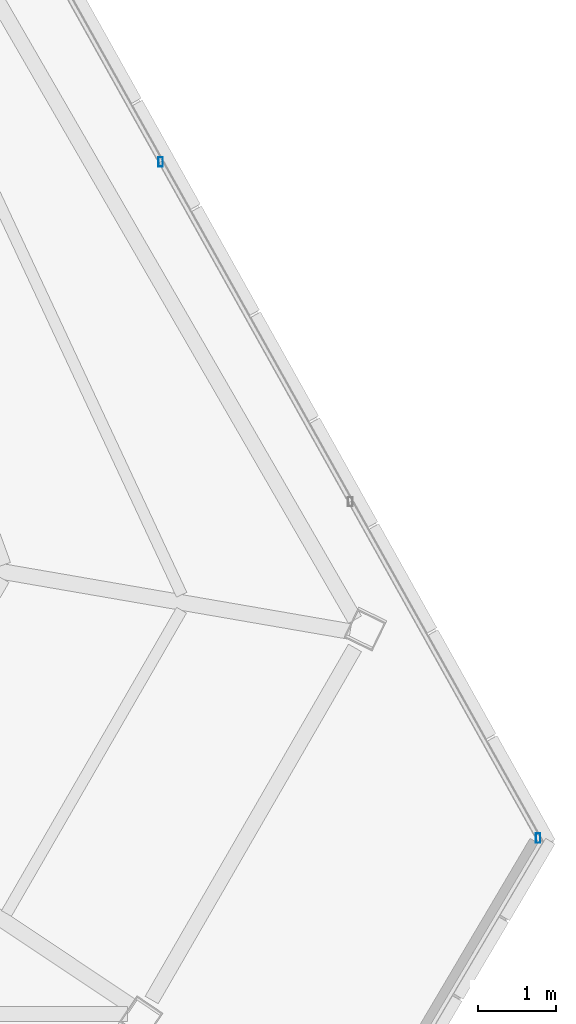
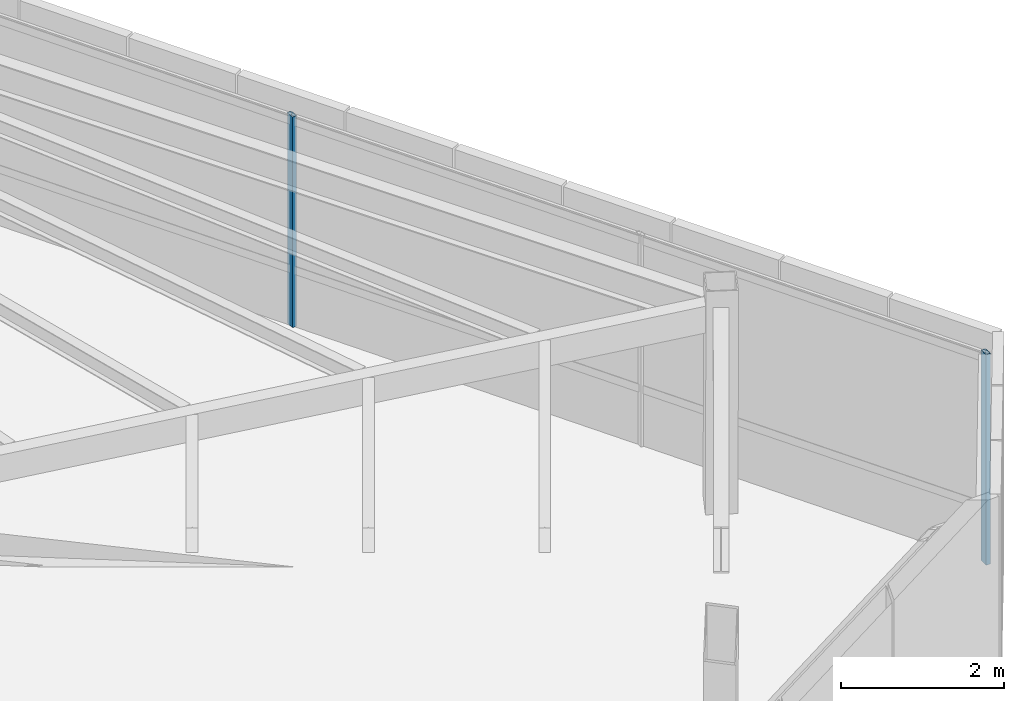
# One storey, part 27 of 44: 2 members, 1 element without a shape of its own.
"""IFC4 building model written with IfcOpenShell, lengths in metres."""

from ifc_helpers import new_model, si_unit, direction, frame, origin, origin_2d, place, context, subcontext, project, spatial, hollow_rectangle, extrude, source, transform, mapped, material, material_profile, profile_set, type_object, type_shapes, element, aggregate, save


model = new_model("IFC4")

# Units and contexts
model_context = context("Model", 3, precision=1e-05, world=origin(), true_north=direction((0.0, 1.0)))
body_context = subcontext(model_context, "Body", "Model", "MODEL_VIEW")
ifc_project = project(units=[si_unit("LENGTHUNIT", "METRE"), si_unit("AREAUNIT", "SQUARE_METRE"), si_unit("VOLUMEUNIT", "CUBIC_METRE"), si_unit("PLANEANGLEUNIT", "RADIAN"), si_unit("MASSUNIT", "GRAM", prefix="KILO")], contexts=[model_context])

# Site, building, storey
site_placement = place(None, origin())
site = spatial("IfcSite", under=ifc_project, at=site_placement, CompositionType="ELEMENT")
building_placement = place(site_placement, origin())
building = spatial("IfcBuilding", under=site, at=building_placement, Name="Caelisora Broadcast Tower", CompositionType="ELEMENT")
storey_placement = place(building_placement, frame((0.0, 0.0, 296.60009765625)))
storey = spatial("IfcBuildingStorey", under=building, at=storey_placement, Name="L78", CompositionType="ELEMENT", Elevation=296.60009765625)

# Curtain wall, members
ifc_material_1 = material(Name="Unitised Aluminium Insulated Shadow-Box Spandrel Curtain Wall", Category="aluminium")
curtain_wall_type = type_object("IfcCurtainWallType", Name="CW-SP3", PredefinedType="NOTDEFINED", material=ifc_material_1)
curtain_wall_placement = place(storey_placement, origin())
curtain_wall = element("IfcCurtainWall", 1, at=curtain_wall_placement, inside=storey, type_object=curtain_wall_type, Name="L78 curtain wall CW-SP3", PredefinedType="NOTDEFINED")
ifc_material_2 = material(Name="Aluminium 6063-T6 Anodised Terracotta Bronze", Category="aluminium")
ifc_material_profile = material_profile(ifc_material_2, hollow_rectangle(XDim=0.06005859375, YDim=0.1201171875, WallThickness=0.0029296875, at=origin_2d()), Name="Aluminium 6063-T6 Anodised Terracotta Bronze")
ifc_profile_set = profile_set([ifc_material_profile], Name="Aluminium 6063-T6 Anodised Terracotta Bronze")
member_type = type_object("IfcMemberType", Name="CWM-04", PredefinedType="MULLION", material=ifc_profile_set)
shared_shape = source(origin(), body_context, "Body", "SweptSolid", [
    extrude(hollow_rectangle(XDim=0.06005859375, YDim=0.1201171875, WallThickness=0.0029296875, at=origin_2d()), origin(), (0.0, 0.0, 1.0), 3.14990234375),
])
type_shapes(member_type, [shared_shape])
member_1_placement = place(storey_placement, frame((56.519287109375, 21.08203125, 0.0), z_axis=(0.0, 0.0, 1.0), x_axis=(1.0, 0.0, 0.0)))
member_1 = element("IfcMember", 2, at=member_1_placement, type_object=member_type, Name="L78-CW-B03 mullion #1", PredefinedType="MULLION", context=body_context, shape_type="MappedRepresentation", body=[
    mapped(shared_shape, transform((0.0, 0.0, 0.0), scale=1.0)),
])
member_2_placement = place(storey_placement, frame((61.341552734375, 12.442626953125, 0.0), z_axis=(0.0, 0.0, 1.0), x_axis=(1.0, 0.0, 0.0)))
member_2 = element("IfcMember", 3, at=member_2_placement, type_object=member_type, Name="L78-CW-B03 mullion #3", PredefinedType="MULLION", context=body_context, shape_type="MappedRepresentation", body=[
    mapped(shared_shape, transform((0.0, 0.0, 0.0), scale=1.0)),
])
aggregate(curtain_wall, [member_1, member_2])

save(model, "model.ifc")
